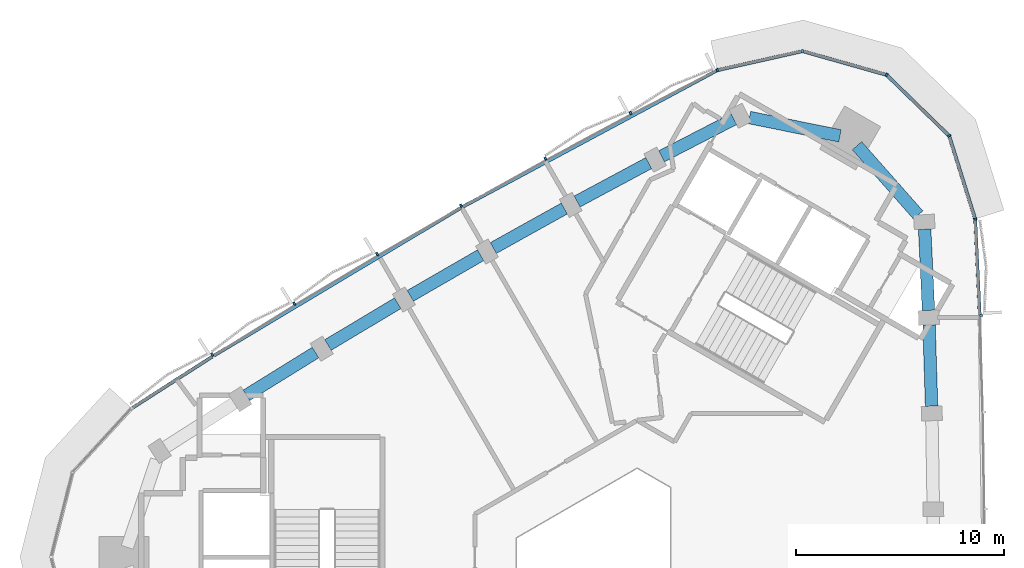
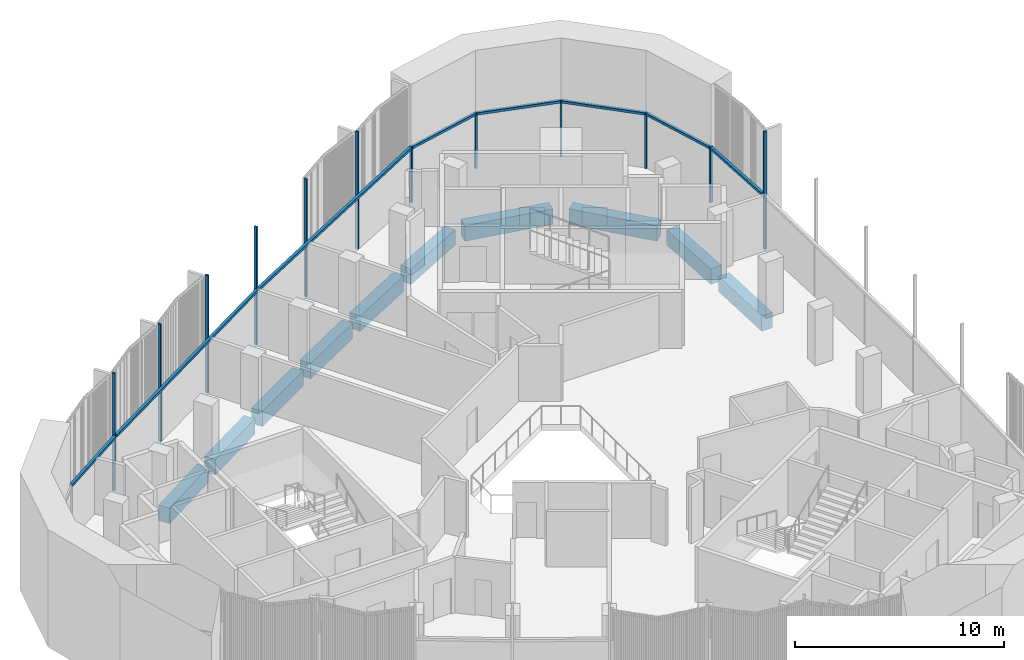
# One storey, part 4 of 12: 20 members, 10 beams, 2 elements without a shape of their own.
"""IFC4 building model written with IfcOpenShell, lengths in metres."""

from ifc_helpers import new_model, si_unit, direction, frame, origin, origin_2d, place, context, subcontext, project, spatial, rectangle, extrude, material, material_profile, profile_set, type_object, element, aggregate, save


model = new_model("IFC4")

# Units and contexts
model_context = context("Model", 3, precision=1e-05, world=origin(), true_north=direction((0.0, 1.0)))
body_context = subcontext(model_context, "Body", "Model", "MODEL_VIEW")
ifc_project = project(units=[si_unit("LENGTHUNIT", "METRE"), si_unit("AREAUNIT", "SQUARE_METRE"), si_unit("VOLUMEUNIT", "CUBIC_METRE"), si_unit("PLANEANGLEUNIT", "RADIAN"), si_unit("MASSUNIT", "GRAM", prefix="KILO")], contexts=[model_context])

# Site, building, storey
site_placement = place(None, origin())
site = spatial("IfcSite", under=ifc_project, at=site_placement, CompositionType="ELEMENT")
building_placement = place(site_placement, origin())
building = spatial("IfcBuilding", under=site, at=building_placement, Name="Tamra Quay Hotel Tower", CompositionType="ELEMENT")
storey_placement = place(building_placement, frame((0.0, 0.0, 273.0)))
storey = spatial("IfcBuildingStorey", under=building, at=storey_placement, Name="L69", CompositionType="ELEMENT", Elevation=273.0)

# Curtain wall, members
ifc_material_1 = material(Name="Aluminium 6063 anodised dark grey", Category="aluminium")
curtain_wall_type_1 = type_object("IfcCurtainWallType", Name="CW1 CURTAIN WALL", PredefinedType="NOTDEFINED", material=ifc_material_1)
curtain_wall_1_placement = place(storey_placement, origin())
curtain_wall_1 = element("IfcCurtainWall", 1, at=curtain_wall_1_placement, inside=storey, type_object=curtain_wall_type_1, Name="CW1 east face L69", PredefinedType="NOTDEFINED")
ifc_material_profile_1 = material_profile(ifc_material_1, rectangle(XDim=0.159912109375, YDim=0.10009765625, at=origin_2d()), Name="MULLION 100X160")
ifc_profile_set_1 = profile_set([ifc_material_profile_1], Name="Aluminium 6063 anodised dark grey")
member_type_1 = type_object("IfcMemberType", Name="MULLION CW1 Z6", PredefinedType="MULLION", material=ifc_profile_set_1)
member_1_placement = place(storey_placement, frame((17.9462890625, 11.613037109375, 0.0), z_axis=(0.0, 0.0, 1.0), x_axis=(0.999237934682, 0.039032677233, 0.0)))
member_1 = element("IfcMember", 2, at=member_1_placement, type_object=member_type_1, Name="CW1 mullion L69.E.7", PredefinedType="MULLION", context=body_context, shape_type="SweptSolid", body=[
    extrude(rectangle(XDim=0.159912109375, YDim=0.10009765625, at=origin_2d()), origin(), (0.0, 0.0, 1.0), 6.85009765625),
])
member_2_placement = place(storey_placement, frame((17.648681640625, 16.25146484375, 0.0), z_axis=(0.0, 0.0, 1.0), x_axis=(0.984739923452, 0.174032419852, 0.0)))
member_2 = element("IfcMember", 3, at=member_2_placement, type_object=member_type_1, Name="CW1 mullion L69.E.8", PredefinedType="MULLION", context=body_context, shape_type="SweptSolid", body=[
    extrude(rectangle(XDim=0.159912109375, YDim=0.10009765625, at=origin_2d()), origin(), (0.0, 0.0, 1.0), 3.25),
])
member_3_placement = place(storey_placement, frame((16.39599609375, 20.2587890625, 0.0), z_axis=(0.0, 0.0, 1.0), x_axis=(0.851964184595, 0.523600065094, 0.0)))
member_3 = element("IfcMember", 4, at=member_3_placement, type_object=member_type_1, Name="CW1 mullion L69.E.9", PredefinedType="MULLION", context=body_context, shape_type="SweptSolid", body=[
    extrude(rectangle(XDim=0.159912109375, YDim=0.10009765625, at=origin_2d()), origin(), (0.0, 0.0, 1.0), 3.25),
])
member_4_placement = place(storey_placement, frame((13.38671875, 23.1865234375, 0.0), z_axis=(0.0, 0.0, 1.0), x_axis=(0.5, 0.866025403784, 0.0)))
member_4 = element("IfcMember", 5, at=member_4_placement, type_object=member_type_1, Name="CW1 mullion L69.E.10", PredefinedType="MULLION", context=body_context, shape_type="SweptSolid", body=[
    extrude(rectangle(XDim=0.159912109375, YDim=0.10009765625, at=origin_2d()), origin(), (0.0, 0.0, 1.0), 3.25),
])
member_5_placement = place(storey_placement, frame((9.346435546875, 24.32861328125, 0.0), z_axis=(0.0, 0.0, 1.0), x_axis=(0.027468865497, 0.999622659521, 0.0)))
member_5 = element("IfcMember", 6, at=member_5_placement, type_object=member_type_1, Name="CW1 mullion L69.E.11", PredefinedType="MULLION", context=body_context, shape_type="SweptSolid", body=[
    extrude(rectangle(XDim=0.159912109375, YDim=0.10009765625, at=origin_2d()), origin(), (0.0, 0.0, 1.0), 3.25),
])

curtain_wall_type_2 = type_object("IfcCurtainWallType", Name="CW2 CURTAIN WALL", PredefinedType="NOTDEFINED", material=ifc_material_1)
curtain_wall_2_placement = place(storey_placement, origin())
curtain_wall_2 = element("IfcCurtainWall", 7, at=curtain_wall_2_placement, inside=storey, type_object=curtain_wall_type_2, Name="CW2 north-west face L69", PredefinedType="NOTDEFINED")
ifc_material_profile_2 = material_profile(ifc_material_1, rectangle(XDim=0.159912109375, YDim=0.10009765625, at=origin_2d()), Name="MULLION 100X160")
ifc_profile_set_2 = profile_set([ifc_material_profile_2], Name="Aluminium 6063 anodised dark grey")
member_type_2 = type_object("IfcMemberType", Name="MULLION CW2 Z6", PredefinedType="MULLION", material=ifc_profile_set_2)
member_6_placement = place(storey_placement, frame((5.249755859375, 23.409912109375, 0.0), z_axis=(0.0, 0.0, 1.0), x_axis=(-0.341653465052, 0.939825999756, 0.0)))
member_6 = element("IfcMember", 8, at=member_6_placement, type_object=member_type_2, Name="CW2 mullion L69.NW.1", PredefinedType="MULLION", context=body_context, shape_type="SweptSolid", body=[
    extrude(rectangle(XDim=0.159912109375, YDim=0.10009765625, at=origin_2d()), origin(), (0.0, 0.0, 1.0), 3.25),
])
member_7_placement = place(storey_placement, frame((1.083984375, 21.348388671875, 0.0), z_axis=(0.0, 0.0, 1.0), x_axis=(-0.46581567728, 0.884881774476, 0.0)))
member_7 = element("IfcMember", 9, at=member_7_placement, type_object=member_type_2, Name="CW2 mullion L69.NW.2", PredefinedType="MULLION", context=body_context, shape_type="SweptSolid", body=[
    extrude(rectangle(XDim=0.159912109375, YDim=0.10009765625, at=origin_2d()), origin(), (0.0, 0.0, 1.0), 6.85009765625),
])
member_8_placement = place(storey_placement, frame((-3.009521484375, 19.152587890625, 0.0), z_axis=(0.0, 0.0, 1.0), x_axis=(-0.479564696566, 0.877506525222, 0.0)))
member_8 = element("IfcMember", 10, at=member_8_placement, type_object=member_type_2, Name="CW2 mullion L69.NW.3", PredefinedType="MULLION", context=body_context, shape_type="SweptSolid", body=[
    extrude(rectangle(XDim=0.159912109375, YDim=0.10009765625, at=origin_2d()), origin(), (0.0, 0.0, 1.0), 6.85009765625),
])
member_9_placement = place(storey_placement, frame((-7.06982421875, 16.892333984375, 0.0), z_axis=(0.0, 0.0, 1.0), x_axis=(-0.493215265746, 0.869907294851, 0.0)))
member_9 = element("IfcMember", 11, at=member_9_placement, type_object=member_type_2, Name="CW2 mullion L69.NW.4", PredefinedType="MULLION", context=body_context, shape_type="SweptSolid", body=[
    extrude(rectangle(XDim=0.159912109375, YDim=0.10009765625, at=origin_2d()), origin(), (0.0, 0.0, 1.0), 6.85009765625),
])
member_10_placement = place(storey_placement, frame((-11.09423828125, 14.56884765625, 0.0), z_axis=(0.0, 0.0, 1.0), x_axis=(-0.506754183405, 0.862090597096, 0.0)))
member_10 = element("IfcMember", 12, at=member_10_placement, type_object=member_type_2, Name="CW2 mullion L69.NW.5", PredefinedType="MULLION", context=body_context, shape_type="SweptSolid", body=[
    extrude(rectangle(XDim=0.159912109375, YDim=0.10009765625, at=origin_2d()), origin(), (0.0, 0.0, 1.0), 6.85009765625),
])
member_11_placement = place(storey_placement, frame((-15.08203125, 12.1826171875, 0.0), z_axis=(0.0, 0.0, 1.0), x_axis=(-0.520160594546, 0.854068472596, 0.0)))
member_11 = element("IfcMember", 13, at=member_11_placement, type_object=member_type_2, Name="CW2 mullion L69.NW.6", PredefinedType="MULLION", context=body_context, shape_type="SweptSolid", body=[
    extrude(rectangle(XDim=0.159912109375, YDim=0.10009765625, at=origin_2d()), origin(), (0.0, 0.0, 1.0), 6.85009765625),
])
member_12_placement = place(storey_placement, frame((-19.0302734375, 9.7353515625, 0.0), z_axis=(0.0, 0.0, 1.0), x_axis=(-0.533422257402, 0.845849097244, 0.0)))
member_12 = element("IfcMember", 14, at=member_12_placement, type_object=member_type_2, Name="CW2 mullion L69.NW.7", PredefinedType="MULLION", context=body_context, shape_type="SweptSolid", body=[
    extrude(rectangle(XDim=0.159912109375, YDim=0.10009765625, at=origin_2d()), origin(), (0.0, 0.0, 1.0), 6.85009765625),
])

# Beams
ifc_material_2 = material(Name="Concrete M60", Category="concrete")
ifc_material_profile_3 = material_profile(ifc_material_2, rectangle(XDim=0.60009765625, YDim=0.89990234375, at=origin_2d()), Name="SPANDREL BEAM RC 600x900")
ifc_profile_set_3 = profile_set([ifc_material_profile_3], Name="Concrete M60")
beam_type = type_object("IfcBeamType", Name="SPANDREL BEAM RC 600x900", PredefinedType="SPANDREL", material=ifc_profile_set_3)
beam_1_placement = place(storey_placement, frame((15.55126953125, 7.259765625, -0.800048828125), z_axis=(-0.031240604276, 0.999511893198, 0.0), x_axis=(-0.999511893198, -0.031240604276, 0.0)))
element("IfcBeam", 15, at=beam_1_placement, inside=storey, type_object=beam_type, Name="BM-SP6-005-L69", PredefinedType="SPANDREL", context=body_context, shape_type="SweptSolid", body=[
    extrude(rectangle(XDim=0.60009765625, YDim=0.89990234375, at=origin_2d()), origin(), (0.0, 0.0, 1.0), 3.907470703125),
])
beam_2_placement = place(storey_placement, frame((15.40185546875, 11.86474609375, -0.800048828125), z_axis=(-0.04680507522, 0.998904041905, 0.0), x_axis=(-0.998904041905, -0.04680507522, 0.0)))
element("IfcBeam", 16, at=beam_2_placement, inside=storey, type_object=beam_type, Name="BM-SP6-006-L69", PredefinedType="SPANDREL", context=body_context, shape_type="SweptSolid", body=[
    extrude(rectangle(XDim=0.60009765625, YDim=0.89990234375, at=origin_2d()), origin(), (0.0, 0.0, 1.0), 3.906982421875),
])
beam_3_placement = place(storey_placement, frame((14.9072265625, 16.451171875, -0.800048828125), z_axis=(-0.661856103448, 0.749630908066, 0.0), x_axis=(-0.749630908066, -0.661856103448, 0.0)))
element("IfcBeam", 17, at=beam_3_placement, inside=storey, type_object=beam_type, Name="BM-SP6-007-L69", PredefinedType="SPANDREL", context=body_context, shape_type="SweptSolid", body=[
    extrude(rectangle(XDim=0.60009765625, YDim=0.89990234375, at=origin_2d()), origin(), (0.0, 0.0, 1.0), 4.44189453125),
])
beam_4_placement = place(storey_placement, frame((11.146728515625, 20.25439453125, -0.800048828125), z_axis=(-0.980114952618, 0.198430541133, 0.0), x_axis=(-0.198430541133, -0.980114952618, 0.0)))
element("IfcBeam", 18, at=beam_4_placement, inside=storey, type_object=beam_type, Name="BM-SP6-008-L69", PredefinedType="SPANDREL", context=body_context, shape_type="SweptSolid", body=[
    extrude(rectangle(XDim=0.60009765625, YDim=0.89990234375, at=origin_2d()), origin(), (0.0, 0.0, 1.0), 4.441650390625),
])
beam_5_placement = place(storey_placement, frame((6.04541015625, 21.063720703125, -0.800048828125), z_axis=(-0.888476019227, -0.458923047208, 0.0), x_axis=(0.458923047208, -0.888476019227, 0.0)))
element("IfcBeam", 19, at=beam_5_placement, inside=storey, type_object=beam_type, Name="BM-SP6-009-L69", PredefinedType="SPANDREL", context=body_context, shape_type="SweptSolid", body=[
    extrude(rectangle(XDim=0.60009765625, YDim=0.89990234375, at=origin_2d()), origin(), (0.0, 0.0, 1.0), 3.906982421875),
])
beam_6_placement = place(storey_placement, frame((1.954833984375, 18.944580078125, -0.800048828125), z_axis=(-0.88123835064, -0.472672158437, 0.0), x_axis=(0.472672158437, -0.88123835064, 0.0)))
element("IfcBeam", 20, at=beam_6_placement, inside=storey, type_object=beam_type, Name="BM-SP6-010-L69", PredefinedType="SPANDREL", context=body_context, shape_type="SweptSolid", body=[
    extrude(rectangle(XDim=0.60009765625, YDim=0.89990234375, at=origin_2d()), origin(), (0.0, 0.0, 1.0), 3.907470703125),
])
for number, where, z_axis, x_axis, name in (
    (21, (-2.102783203125, 16.761962890625, -0.800048828125), (-0.873726581477, -0.486417373066, 0.0), (0.486417373066, -0.873726581477, 0.0), "BM-SP6-011-L69"),
    (22, (-6.125244140625, 14.516357421875, -0.800048828125), (-0.866011803689, -0.500023555316, 0.0), (0.500023555316, -0.866011803689, 0.0), "BM-SP6-012-L69"),
):
    element("IfcBeam", number, at=place(storey_placement, frame(where, z_axis=z_axis, x_axis=x_axis)), inside=storey, type_object=beam_type, Name=name, PredefinedType="SPANDREL", context=body_context, shape_type="SweptSolid", body=[
        extrude(rectangle(XDim=0.60009765625, YDim=0.89990234375, at=origin_2d()), origin(), (0.0, 0.0, 1.0), 3.906982421875),
    ])
beam_7_placement = place(storey_placement, frame((-10.1123046875, 12.2080078125, -0.800048828125), z_axis=(-0.858120821909, -0.513447811376, 0.0), x_axis=(0.513447811376, -0.858120821909, 0.0)))
element("IfcBeam", 23, at=beam_7_placement, inside=storey, type_object=beam_type, Name="BM-SP6-013-L69", PredefinedType="SPANDREL", context=body_context, shape_type="SweptSolid", body=[
    extrude(rectangle(XDim=0.60009765625, YDim=0.89990234375, at=origin_2d()), origin(), (0.0, 0.0, 1.0), 3.9072265625),
])
beam_8_placement = place(storey_placement, frame((-14.062744140625, 9.837890625, -0.800048828125), z_axis=(-0.849972078006, -0.526827739029, 0.0), x_axis=(0.526827739029, -0.849972078006, 0.0)))
element("IfcBeam", 24, at=beam_8_placement, inside=storey, type_object=beam_type, Name="BM-SP6-014-L69", PredefinedType="SPANDREL", context=body_context, shape_type="SweptSolid", body=[
    extrude(rectangle(XDim=0.60009765625, YDim=0.89990234375, at=origin_2d()), origin(), (0.0, 0.0, 1.0), 3.907470703125),
])

# Member
ifc_material_profile_4 = material_profile(ifc_material_1, rectangle(XDim=0.159912109375, YDim=0.139892578125, at=origin_2d()), Name="TRANSOM 160X140")
ifc_profile_set_4 = profile_set([ifc_material_profile_4], Name="Aluminium 6063 anodised dark grey")
member_type_3 = type_object("IfcMemberType", Name="TRANSOM CW1 Z6", PredefinedType="USERDEFINED", material=ifc_profile_set_4)
member_13_placement = place(storey_placement, frame((17.864013671875, 11.659912109375, 3.179931640625), z_axis=(-0.046825260704, 0.998903095881, 0.0), x_axis=(-0.998903095881, -0.046825260704, 0.0)))
member_13 = element("IfcMember", 25, at=member_13_placement, type_object=member_type_3, Name="CW1 transom L69.E.7", ObjectType="TRANSOM", PredefinedType="USERDEFINED", context=body_context, shape_type="SweptSolid", body=[
    extrude(rectangle(XDim=0.159912109375, YDim=0.139892578125, at=origin_2d()), origin(), (0.0, 0.0, 1.0), 4.54638671875),
])

member_14_placement = place(storey_placement, frame((17.6337890625, 16.299072265625, 3.179931640625), z_axis=(-0.298373352037, 0.954449235315, 0.0), x_axis=(-0.954449235315, -0.298373352037, 0.0)))
member_14 = element("IfcMember", 26, at=member_14_placement, type_object=member_type_3, Name="CW1 transom L69.E.8", ObjectType="TRANSOM", PredefinedType="USERDEFINED", context=body_context, shape_type="SweptSolid", body=[
    extrude(rectangle(XDim=0.159912109375, YDim=0.139892578125, at=origin_2d()), origin(), (0.0, 0.0, 1.0), 4.0986328125),
])

member_15_placement = place(storey_placement, frame((16.360107421875, 20.29345703125, 3.179931640625), z_axis=(-0.716720298204, 0.697360748926, 0.0), x_axis=(-0.697360748926, -0.716720298204, 0.0)))
member_15 = element("IfcMember", 27, at=member_15_placement, type_object=member_type_3, Name="CW1 transom L69.E.9", ObjectType="TRANSOM", PredefinedType="USERDEFINED", context=body_context, shape_type="SweptSolid", body=[
    extrude(rectangle(XDim=0.159912109375, YDim=0.139892578125, at=origin_2d()), origin(), (0.0, 0.0, 1.0), 4.0986328125),
])

member_16_placement = place(storey_placement, frame((13.338623046875, 23.199951171875, 3.179931640625), z_axis=(-0.962266689751, 0.272108099467, 0.0), x_axis=(-0.272108099467, -0.962266689751, 0.0)))
member_16 = element("IfcMember", 28, at=member_16_placement, type_object=member_type_3, Name="CW1 transom L69.E.10", ObjectType="TRANSOM", PredefinedType="USERDEFINED", context=body_context, shape_type="SweptSolid", body=[
    extrude(rectangle(XDim=0.159912109375, YDim=0.139892578125, at=origin_2d()), origin(), (0.0, 0.0, 1.0), 4.098388671875),
])

member_17_placement = place(storey_placement, frame((9.2978515625, 24.317626953125, 3.179931640625), z_axis=(-0.975771819949, -0.21879066569, 0.0), x_axis=(0.21879066569, -0.975771819949, 0.0)))
member_17 = element("IfcMember", 29, at=member_17_placement, type_object=member_type_3, Name="CW1 transom L69.E.11", ObjectType="TRANSOM", PredefinedType="USERDEFINED", context=body_context, shape_type="SweptSolid", body=[
    extrude(rectangle(XDim=0.159912109375, YDim=0.139892578125, at=origin_2d()), origin(), (0.0, 0.0, 1.0), 4.0986328125),
])

aggregate(curtain_wall_1, [member_1, member_13, member_2, member_14, member_3, member_15, member_4, member_16, member_5, member_17])

ifc_material_profile_5 = material_profile(ifc_material_1, rectangle(XDim=0.159912109375, YDim=0.139892578125, at=origin_2d()), Name="TRANSOM 160X140")
ifc_profile_set_5 = profile_set([ifc_material_profile_5], Name="Aluminium 6063 anodised dark grey")
member_type_4 = type_object("IfcMemberType", Name="TRANSOM CW2 Z6", PredefinedType="USERDEFINED", material=ifc_profile_set_5)
member_18_placement = place(storey_placement, frame((5.205322265625, 23.386962890625, 3.179931640625), z_axis=(-0.881219076689, -0.472708090559, 0.0), x_axis=(0.472708090559, -0.881219076689, 0.0)))
member_18 = element("IfcMember", 30, at=member_18_placement, type_object=member_type_4, Name="CW2 transom L69.NW.1", ObjectType="TRANSOM", PredefinedType="USERDEFINED", context=body_context, shape_type="SweptSolid", body=[
    extrude(rectangle(XDim=0.159912109375, YDim=0.139892578125, at=origin_2d()), origin(), (0.0, 0.0, 1.0), 13.835205078125),
])

member_19_placement = place(storey_placement, frame((-7.07373046875, 16.797607421875, 3.179931640625), z_axis=(-0.858107378592, -0.513470278406, 0.0), x_axis=(0.513470278406, -0.858107378592, 0.0)))
member_19 = element("IfcMember", 31, at=member_19_placement, type_object=member_type_4, Name="CW2 transom L69.NW.4", ObjectType="TRANSOM", PredefinedType="USERDEFINED", context=body_context, shape_type="SweptSolid", body=[
    extrude(rectangle(XDim=0.159912109375, YDim=0.139892578125, at=origin_2d()), origin(), (0.0, 0.0, 1.0), 13.834228515625),
])

member_20_placement = place(storey_placement, frame((-19.02978515625, 9.640625, 3.179931640625), z_axis=(-0.841670137193, -0.539992018605, 0.0), x_axis=(0.539992018605, -0.841670137193, 0.0)))
member_20 = element("IfcMember", 32, at=member_20_placement, type_object=member_type_4, Name="CW2 transom L69.NW.7", ObjectType="TRANSOM", PredefinedType="USERDEFINED", context=body_context, shape_type="SweptSolid", body=[
    extrude(rectangle(XDim=0.159912109375, YDim=0.139892578125, at=origin_2d()), origin(), (0.0, 0.0, 1.0), 4.54638671875),
])

aggregate(curtain_wall_2, [member_6, member_18, member_7, member_8, member_9, member_19, member_10, member_11, member_12, member_20])

save(model, "model.ifc")
